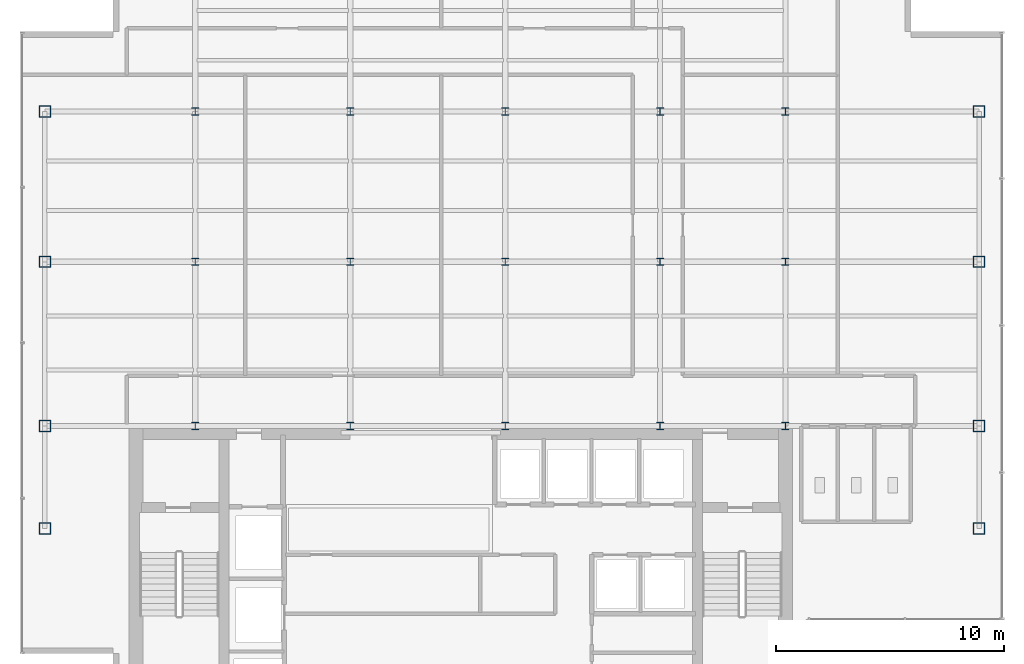
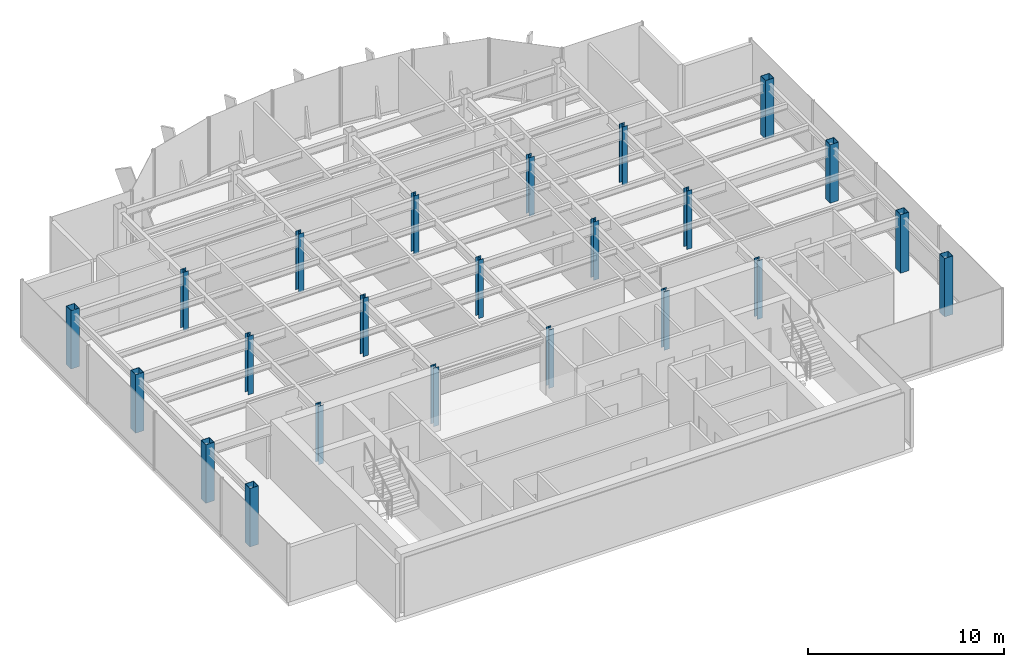
# One storey, part 1 of 22: 23 columns.
"""IFC4 building model written with IfcOpenShell, lengths in metres."""

from ifc_helpers import new_model, si_unit, derived_unit, direction, frame, origin, origin_2d, place, context, subcontext, project, spatial, hollow_rectangle, i_section, extrude, source, transform, mapped, material, material_profile, profile_set, type_object, element, save


model = new_model("IFC4")

# Units and contexts
model_context = context("Model", 3, precision=1e-05, world=origin(), true_north=direction((0.0, 1.0)))
body_context = subcontext(model_context, "Body", "Model", "MODEL_VIEW")
ifc_project = project(units=[si_unit("LENGTHUNIT", "METRE"), si_unit("AREAUNIT", "SQUARE_METRE"), si_unit("VOLUMEUNIT", "CUBIC_METRE"), si_unit("PLANEANGLEUNIT", "RADIAN"), si_unit("MASSUNIT", "GRAM", prefix="KILO"), derived_unit("THERMALTRANSMITTANCEUNIT", [(si_unit("POWERUNIT", "WATT"), 1), (si_unit("LENGTHUNIT", "METRE"), -2), (si_unit("THERMODYNAMICTEMPERATUREUNIT", "KELVIN"), -1)])], contexts=[model_context])

# Site, building, storey
site_placement = place(None, origin())
site = spatial("IfcSite", under=ifc_project, at=site_placement, CompositionType="ELEMENT")
building_placement = place(site_placement, origin())
building = spatial("IfcBuilding", under=site, at=building_placement, Name="Skarnbrae Concourse Arena and Tower", CompositionType="ELEMENT")
storey_placement = place(building_placement, frame((0.0, 0.0, 225.10009765625)))
storey = spatial("IfcBuildingStorey", under=building, at=storey_placement, Name="L58", CompositionType="ELEMENT", Elevation=225.10009765625)

# Columns
ifc_material = material(Name="Steel CSA G40.21 350W", Category="steel")
ifc_material_profile_1 = material_profile(ifc_material, hollow_rectangle(XDim=0.5, YDim=0.5, WallThickness=0.02197265625, at=origin_2d()), Name="HSS500X500X22.0")
ifc_profile_set_1 = profile_set([ifc_material_profile_1], Name="Steel CSA G40.21 350W")
column_type_1 = type_object("IfcColumnType", Name="COL-TUBE-HSS500", PredefinedType="COLUMN", material=ifc_profile_set_1)
shared_shape_1 = source(origin(), body_context, "Body", "SweptSolid", [
    extrude(hollow_rectangle(XDim=0.5, YDim=0.5, WallThickness=0.02197265625, at=origin_2d()), origin(), (0.0, 0.0, 1.0), 3.64990234375),
])
for number, where, z_axis, x_axis, name in (
    (1, (1.0, 9.5, 0.0), (0.0, 0.0, 1.0), (1.0, 0.0, 0.0), "L58 Tower column PC_01_01"),
    (2, (1.0, 14.0, 0.0), (0.0, 0.0, 1.0), (1.0, 0.0, 0.0), "L58 Tower column PC_01_02"),
    (3, (1.0, 21.199951171875, 0.0), (0.0, 0.0, 1.0), (1.0, 0.0, 0.0), "L58 Tower column PC_01_03"),
    (4, (1.0, 27.800048828125, 0.0), (0.0, 0.0, 1.0), (1.0, 0.0, 0.0), "L58 Tower column PC_01_04"),
    (5, (42.0, 9.5, 0.0), (0.0, 0.0, 1.0), (1.0, 0.0, 0.0), "L58 Tower column PC_07_01"),
    (6, (42.0, 14.0, 0.0), (0.0, 0.0, 1.0), (1.0, 0.0, 0.0), "L58 Tower column PC_07_02"),
    (7, (42.0, 21.199951171875, 0.0), (0.0, 0.0, 1.0), (1.0, 0.0, 0.0), "L58 Tower column PC_07_03"),
    (8, (42.0, 27.800048828125, 0.0), (0.0, 0.0, 1.0), (1.0, 0.0, 0.0), "L58 Tower column PC_07_04"),
):
    element("IfcColumn", number, at=place(storey_placement, frame(where, z_axis=z_axis, x_axis=x_axis)), inside=storey, type_object=column_type_1, Name=name, PredefinedType="COLUMN", context=body_context, shape_type="MappedRepresentation", body=[
        mapped(shared_shape_1, transform((0.0, 0.0, 0.0))),
    ])
ifc_material_profile_2 = material_profile(ifc_material, i_section(OverallWidth=0.30908203125, OverallDepth=0.322998046875, WebThickness=0.013916015625, FlangeThickness=0.02294921875, at=origin_2d()), Name="W310X143")
ifc_profile_set_2 = profile_set([ifc_material_profile_2], Name="Steel CSA G40.21 350W")
column_type_2 = type_object("IfcColumnType", Name="COL-INT-W310X143", PredefinedType="COLUMN", material=ifc_profile_set_2)
shared_shape_2 = source(origin(), body_context, "Body", "SweptSolid", [
    extrude(i_section(OverallWidth=0.30908203125, OverallDepth=0.322998046875, WebThickness=0.013916015625, FlangeThickness=0.02294921875, at=origin_2d()), origin(), (0.0, 0.0, 1.0), 3.64990234375),
])
for number, where, z_axis, x_axis, name in (
    (9, (7.60009765625, 14.0, 0.0), (0.0, 0.0, 1.0), (1.0, 0.0, 0.0), "L58 Tower column IC_02_02"),
    (10, (7.60009765625, 21.199951171875, 0.0), (0.0, 0.0, 1.0), (1.0, 0.0, 0.0), "L58 Tower column IC_02_03"),
    (11, (7.60009765625, 27.800048828125, 0.0), (0.0, 0.0, 1.0), (1.0, 0.0, 0.0), "L58 Tower column IC_02_04"),
    (12, (14.39990234375, 14.0, 0.0), (0.0, 0.0, 1.0), (1.0, 0.0, 0.0), "L58 Tower column IC_03_02"),
    (13, (14.39990234375, 21.199951171875, 0.0), (0.0, 0.0, 1.0), (1.0, 0.0, 0.0), "L58 Tower column IC_03_03"),
    (14, (14.39990234375, 27.800048828125, 0.0), (0.0, 0.0, 1.0), (1.0, 0.0, 0.0), "L58 Tower column IC_03_04"),
    (15, (21.199951171875, 14.0, 0.0), (0.0, 0.0, 1.0), (1.0, 0.0, 0.0), "L58 Tower column IC_04_02"),
    (16, (21.199951171875, 21.199951171875, 0.0), (0.0, 0.0, 1.0), (1.0, 0.0, 0.0), "L58 Tower column IC_04_03"),
    (17, (21.199951171875, 27.800048828125, 0.0), (0.0, 0.0, 1.0), (1.0, 0.0, 0.0), "L58 Tower column IC_04_04"),
    (18, (28.0, 14.0, 0.0), (0.0, 0.0, 1.0), (1.0, 0.0, 0.0), "L58 Tower column IC_05_02"),
    (19, (28.0, 21.199951171875, 0.0), (0.0, 0.0, 1.0), (1.0, 0.0, 0.0), "L58 Tower column IC_05_03"),
    (20, (28.0, 27.800048828125, 0.0), (0.0, 0.0, 1.0), (1.0, 0.0, 0.0), "L58 Tower column IC_05_04"),
    (21, (33.5, 14.0, 0.0), (0.0, 0.0, 1.0), (1.0, 0.0, 0.0), "L58 Tower column IC_06_02"),
    (22, (33.5, 21.199951171875, 0.0), (0.0, 0.0, 1.0), (1.0, 0.0, 0.0), "L58 Tower column IC_06_03"),
    (23, (33.5, 27.800048828125, 0.0), (0.0, 0.0, 1.0), (1.0, 0.0, 0.0), "L58 Tower column IC_06_04"),
):
    element("IfcColumn", number, at=place(storey_placement, frame(where, z_axis=z_axis, x_axis=x_axis)), inside=storey, type_object=column_type_2, Name=name, PredefinedType="COLUMN", context=body_context, shape_type="MappedRepresentation", body=[
        mapped(shared_shape_2, transform((0.0, 0.0, 0.0))),
    ])

save(model, "model.ifc")
